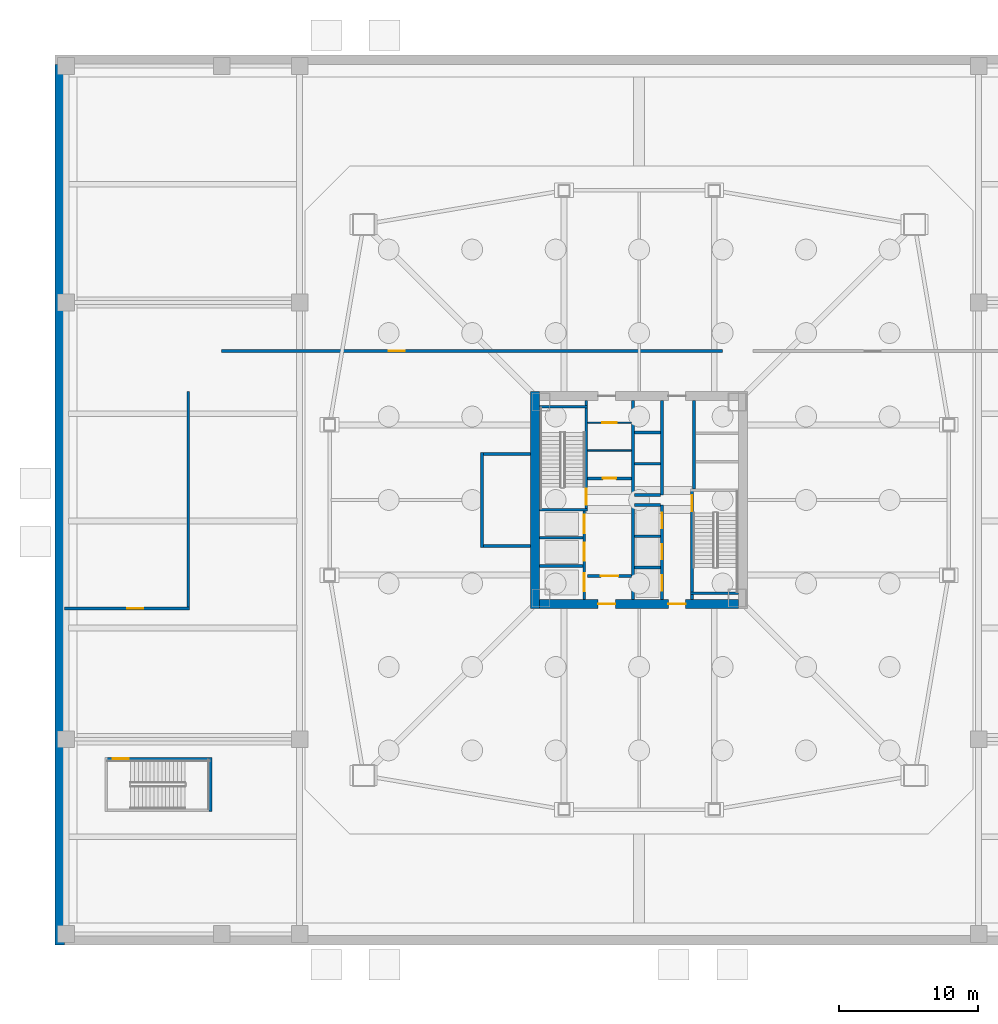
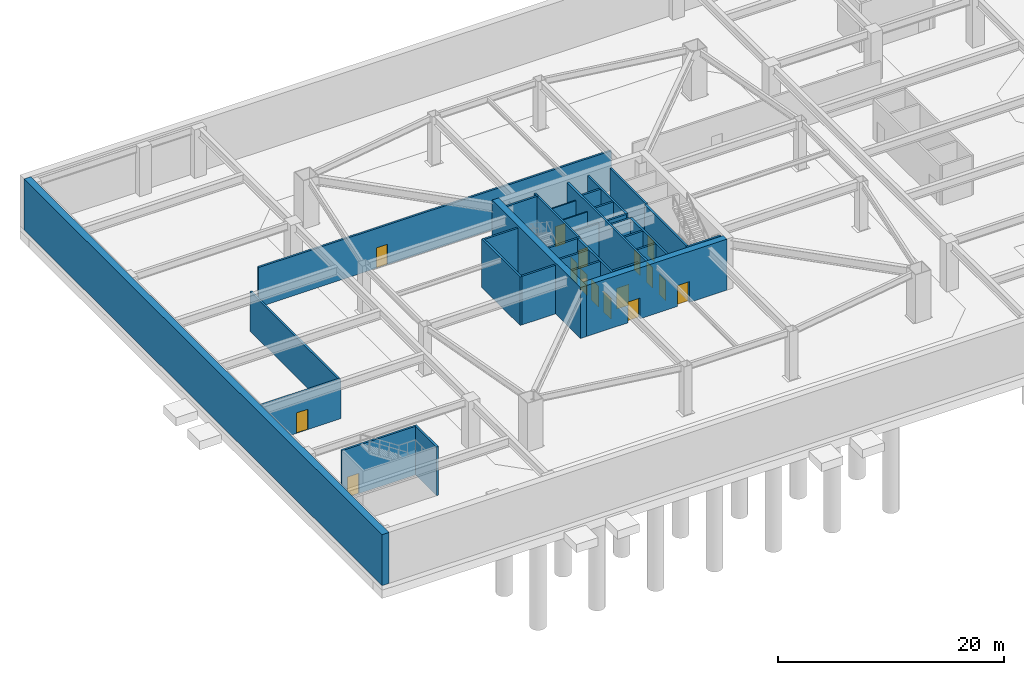
# One storey, part 8 of 19: 33 walls, 16 doors, 16 openings.
"""IFC4 building model written with IfcOpenShell, lengths in metres."""

from ifc_helpers import new_model, si_unit, direction, frame, frame_2d, origin, place, context, subcontext, project, spatial, rectangle, extrude, material, layer, layer_set, type_object, element, fill, save


model = new_model("IFC4")

# Units and contexts
model_context = context("Model", 3, precision=1e-05, world=origin(), true_north=direction((0.0, 1.0)))
body_context = subcontext(model_context, "Body", "Model", "MODEL_VIEW")
ifc_project = project(units=[si_unit("LENGTHUNIT", "METRE"), si_unit("AREAUNIT", "SQUARE_METRE"), si_unit("VOLUMEUNIT", "CUBIC_METRE"), si_unit("PLANEANGLEUNIT", "RADIAN"), si_unit("MASSUNIT", "GRAM", prefix="KILO")], contexts=[model_context])

# Site, building, storey
site_placement = place(None, origin())
site = spatial("IfcSite", under=ifc_project, at=site_placement, CompositionType="ELEMENT")
building_placement = place(site_placement, origin())
building = spatial("IfcBuilding", under=site, at=building_placement, Name="Tashvorn Skyway Center", CompositionType="ELEMENT")
storey_placement = place(building_placement, frame((0.0, 0.0, -11.0)))
storey = spatial("IfcBuildingStorey", under=building, at=storey_placement, Name="B2", CompositionType="ELEMENT", Elevation=-11.0)

# Wall
ifc_material_1 = material(Name="Concrete C60/75", Category="concrete")
ifc_layer_1 = layer(ifc_material_1, 0.64990234375)
ifc_layer_set_1 = layer_set([ifc_layer_1], Name="Concrete C60/75")
wall_type_1 = type_object("IfcWallType", Name="WALL-CORE-650", PredefinedType="SHEAR", material=ifc_layer_set_1)
wall_1_placement = place(storey_placement, frame((34.52490234375, 24.199951171875, 0.0), z_axis=(0.0, 0.0, 1.0), x_axis=(0.0, 1.0, 0.0)))
element("IfcWall", 1, at=wall_1_placement, inside=storey, type_object=wall_type_1, Name="Tower 1 B2 West Core Shear Wall", PredefinedType="SHEAR", context=body_context, shape_type="SweptSolid", body=[
    extrude(rectangle(XDim=15.60009765625, YDim=0.64990234375, at=frame_2d((7.800048828125, 0.0))), origin(), (0.0, 0.0, 1.0), 5.5),
])

# Wall, openings, doors
wall_2_placement = place(storey_placement, frame((49.14990234375, 24.52490234375, 0.0), z_axis=(0.0, 0.0, 1.0), x_axis=(-1.0, 0.0, 0.0)))
wall_2 = element("IfcWall", 2, at=wall_2_placement, inside=storey, type_object=wall_type_1, Name="Tower 1 B2 South Core Shear Wall", PredefinedType="SHEAR", context=body_context, shape_type="SweptSolid", body=[
    extrude(rectangle(XDim=14.2998046875, YDim=0.64990234375, at=frame_2d((7.14990234375, 0.0))), origin(), (0.0, 0.0, 1.0), 5.5),
])
opening_1_placement = place(wall_2_placement, frame((8.85009765625, 0.0, 0.0)))
opening_1 = element("IfcOpeningElement", 3, at=opening_1_placement, cuts=wall_2, Name="Opening D-FFL-1250", PredefinedType="OPENING", context=body_context, shape_type="SweptSolid", body=[
    extrude(rectangle(XDim=1.25, YDim=2.25, at=frame_2d((0.625, 1.125))), frame((0.0, 0.3349609375, 0.0), z_axis=(0.0, -1.0, 0.0), x_axis=(1.0, 0.0, 0.0)), (0.0, 0.0, 1.0), 0.669921875),
])
opening_2_placement = place(wall_2_placement, frame((3.800048828125, 0.0, 0.0)))
opening_2 = element("IfcOpeningElement", 4, at=opening_2_placement, cuts=wall_2, Name="Opening D-FFL-1250", PredefinedType="OPENING", context=body_context, shape_type="SweptSolid", body=[
    extrude(rectangle(XDim=1.25, YDim=2.25, at=frame_2d((0.625, 1.125))), frame((0.0, 0.3349609375, 0.0), z_axis=(0.0, -1.0, 0.0), x_axis=(1.0, 0.0, 0.0)), (0.0, 0.0, 1.0), 0.669921875),
])
ifc_material_2 = material(Name="Hollow galvanized steel fire door assembly", Category="steel")
door_type_1 = type_object("IfcDoorType", Name="DOOR-FFL-1250", OperationType="NOTDEFINED", PredefinedType="DOOR", material=ifc_material_2)
door_1_placement = place(opening_1_placement, origin())
door_1 = element("IfcDoor", 5, at=door_1_placement, inside=storey, type_object=door_type_1, Name="Tower 1 B2 Core South Firefighting Exit Door", OperationType="SINGLE_SWING_LEFT", OverallHeight=2.25, OverallWidth=1.25, PredefinedType="DOOR", context=body_context, shape_type="SweptSolid", body=[
    extrude(rectangle(XDim=1.25, YDim=2.25, at=frame_2d((0.625, 1.125))), frame((0.0, 0.02490234375, 0.0), z_axis=(0.0, -1.0, 0.0), x_axis=(1.0, 0.0, 0.0)), (0.0, 0.0, 1.0), 0.050048828125),
])
fill(opening_1, door_1)
door_2_placement = place(opening_2_placement, origin())
door_2 = element("IfcDoor", 6, at=door_2_placement, inside=storey, type_object=door_type_1, Name="Tower 1 B2 Core South Lift Lobby Door", OperationType="SINGLE_SWING_RIGHT", OverallHeight=2.25, OverallWidth=1.25, PredefinedType="DOOR", context=body_context, shape_type="SweptSolid", body=[
    extrude(rectangle(XDim=1.25, YDim=2.25, at=frame_2d((0.625, 1.125))), frame((0.0, 0.02490234375, 0.0), z_axis=(0.0, -1.0, 0.0), x_axis=(1.0, 0.0, 0.0)), (0.0, 0.0, 1.0), 0.050048828125),
])
fill(opening_2, door_2)

# Wall, opening, door
ifc_material_3 = material(Name="Concrete C40/50", Category="concrete")
ifc_layer_2 = layer(ifc_material_3, 0.219970703125)
ifc_layer_set_2 = layer_set([ifc_layer_2], Name="Concrete C40/50")
wall_type_2 = type_object("IfcWallType", Name="WALL-FFL-220", PredefinedType="SOLIDWALL", material=ifc_layer_set_2)
wall_3_placement = place(storey_placement, frame((38.300048828125, 33.56005859375, 0.0), z_axis=(0.0, 0.0, 1.0), x_axis=(1.0, 0.0, 0.0)))
wall_3 = element("IfcWall", 7, at=wall_3_placement, inside=storey, type_object=wall_type_2, Name="Tower 1 B2 Firefighting Lobby North Wall", PredefinedType="SOLIDWALL", context=body_context, shape_type="SweptSolid", body=[
    extrude(rectangle(XDim=3.14990234375, YDim=0.219970703125, at=frame_2d((1.574951171875, 0.0))), origin(), (0.0, 0.0, 1.0), 4.282958984375),
])
opening_3_placement = place(wall_3_placement, frame((1.10009765625, 0.0, 0.0)))
opening_3 = element("IfcOpeningElement", 8, at=opening_3_placement, cuts=wall_3, Name="Opening D-RT-950", PredefinedType="OPENING", context=body_context, shape_type="SweptSolid", body=[
    extrude(rectangle(XDim=0.949951171875, YDim=2.050048828125, at=frame_2d((0.47509765625, 1.02490234375))), frame((0.0, 0.119873046875, 0.0), z_axis=(0.0, -1.0, 0.0), x_axis=(1.0, 0.0, 0.0)), (0.0, 0.0, 1.0), 0.239990234375),
])
door_type_2 = type_object("IfcDoorType", Name="DOOR-RATED-950", OperationType="NOTDEFINED", PredefinedType="DOOR", material=ifc_material_2)
door_3_placement = place(opening_3_placement, origin())
door_3 = element("IfcDoor", 9, at=door_3_placement, inside=storey, type_object=door_type_2, Name="Tower 1 B2 Core Linen Store Door", OperationType="SINGLE_SWING_LEFT", OverallHeight=2.050048828125, OverallWidth=0.949951171875, PredefinedType="DOOR", context=body_context, shape_type="SweptSolid", body=[
    extrude(rectangle(XDim=0.949951171875, YDim=2.050048828125, at=frame_2d((0.47509765625, 1.02490234375))), frame((0.0, 0.02490234375, 0.0), z_axis=(0.0, -1.0, 0.0), x_axis=(1.0, 0.0, 0.0)), (0.0, 0.0, 1.0), 0.050048828125),
])
fill(opening_3, door_3)

wall_4_placement = place(storey_placement, frame((38.300048828125, 26.5400390625, 0.0), z_axis=(0.0, 0.0, 1.0), x_axis=(1.0, 0.0, 0.0)))
wall_4 = element("IfcWall", 10, at=wall_4_placement, inside=storey, type_object=wall_type_2, Name="Tower 1 B2 Firefighting Lobby South Wall", PredefinedType="SOLIDWALL", context=body_context, shape_type="SweptSolid", body=[
    extrude(rectangle(XDim=3.14990234375, YDim=0.219970703125, at=frame_2d((1.574951171875, 0.0))), origin(), (0.0, 0.0, 1.0), 4.282958984375),
])
opening_4_placement = place(wall_4_placement, frame((0.949951171875, 0.0, 0.0)))
opening_4 = element("IfcOpeningElement", 11, at=opening_4_placement, cuts=wall_4, Name="Opening D-FFL-1250", PredefinedType="OPENING", context=body_context, shape_type="SweptSolid", body=[
    extrude(rectangle(XDim=1.25, YDim=2.25, at=frame_2d((0.625, 1.125))), frame((0.0, 0.119873046875, 0.0), z_axis=(0.0, -1.0, 0.0), x_axis=(1.0, 0.0, 0.0)), (0.0, 0.0, 1.0), 0.239990234375),
])
door_4_placement = place(opening_4_placement, origin())
door_4 = element("IfcDoor", 12, at=door_4_placement, inside=storey, type_object=door_type_1, Name="Tower 1 B2 Firefighting Lobby Egress Door", OperationType="SINGLE_SWING_LEFT", OverallHeight=2.25, OverallWidth=1.25, PredefinedType="DOOR", context=body_context, shape_type="SweptSolid", body=[
    extrude(rectangle(XDim=1.25, YDim=2.25, at=frame_2d((0.625, 1.125))), frame((0.0, 0.02490234375, 0.0), z_axis=(0.0, -1.0, 0.0), x_axis=(1.0, 0.0, 0.0)), (0.0, 0.0, 1.0), 0.050048828125),
])
fill(opening_4, door_4)

# Wall
ifc_material_4 = material(Name="Gypsum board on cold-formed steel stud framing", Category="steel")
ifc_layer_3 = layer(ifc_material_4, 0.110107421875)
ifc_layer_set_3 = layer_set([ifc_layer_3], Name="Gypsum board on cold-formed steel stud framing")
wall_type_3 = type_object("IfcWallType", Name="WALL-RATED-110", PredefinedType="PARTITIONING", material=ifc_layer_set_3)
wall_5_placement = place(storey_placement, frame((38.300048828125, 35.550048828125, 0.0), z_axis=(0.0, 0.0, 1.0), x_axis=(1.0, 0.0, 0.0)))
element("IfcWall", 13, at=wall_5_placement, inside=storey, type_object=wall_type_3, Name="Tower 1 B2 Core Transverse Wall", PredefinedType="PARTITIONING", context=body_context, shape_type="SweptSolid", body=[
    extrude(rectangle(XDim=3.14990234375, YDim=0.110107421875, at=frame_2d((1.574951171875, 0.0))), origin(), (0.0, 0.0, 1.0), 4.282958984375),
])

# Wall, opening, door
ifc_layer_4 = layer(ifc_material_4, 0.135009765625)
ifc_layer_set_4 = layer_set([ifc_layer_4], Name="Gypsum board on cold-formed steel stud framing")
wall_type_4 = type_object("IfcWallType", Name="WALL-RATED-135", PredefinedType="PARTITIONING", material=ifc_layer_set_4)
wall_6_placement = place(storey_placement, frame((38.300048828125, 37.550048828125, 0.0), z_axis=(0.0, 0.0, 1.0), x_axis=(1.0, 0.0, 0.0)))
wall_6 = element("IfcWall", 14, at=wall_6_placement, inside=storey, type_object=wall_type_4, Name="Tower 1 B2 Core Service Lobby Wall", PredefinedType="PARTITIONING", context=body_context, shape_type="SweptSolid", body=[
    extrude(rectangle(XDim=3.14990234375, YDim=0.135009765625, at=frame_2d((1.574951171875, 0.0))), origin(), (0.0, 0.0, 1.0), 4.282958984375),
])
opening_5_placement = place(wall_6_placement, frame((1.050048828125, 0.0, 0.0)))
opening_5 = element("IfcOpeningElement", 15, at=opening_5_placement, cuts=wall_6, Name="Opening D-RT-1050", PredefinedType="OPENING", context=body_context, shape_type="SweptSolid", body=[
    extrude(rectangle(XDim=1.050048828125, YDim=2.199951171875, at=frame_2d((0.52490234375, 1.10009765625))), frame((0.0, 0.077392578125, 0.0), z_axis=(0.0, -1.0, 0.0), x_axis=(1.0, 0.0, 0.0)), (0.0, 0.0, 1.0), 0.155029296875),
])
door_type_3 = type_object("IfcDoorType", Name="DOOR-RATED-1050", OperationType="NOTDEFINED", PredefinedType="DOOR", material=ifc_material_2)
door_5_placement = place(opening_5_placement, origin())
door_5 = element("IfcDoor", 16, at=door_5_placement, inside=storey, type_object=door_type_3, Name="Tower 1 B2 Core Accessible WC Door", OperationType="SINGLE_SWING_RIGHT", OverallHeight=2.199951171875, OverallWidth=1.050048828125, PredefinedType="DOOR", context=body_context, shape_type="SweptSolid", body=[
    extrude(rectangle(XDim=1.050048828125, YDim=2.199951171875, at=frame_2d((0.52490234375, 1.10009765625))), frame((0.0, 0.02490234375, 0.0), z_axis=(0.0, -1.0, 0.0), x_axis=(1.0, 0.0, 0.0)), (0.0, 0.0, 1.0), 0.050048828125),
])
fill(opening_5, door_5)

# Walls
ifc_layer_5 = layer(ifc_material_1, 0.699951171875)
ifc_layer_set_5 = layer_set([ifc_layer_5], Name="Concrete C60/75")
wall_type_5 = type_object("IfcWallType", Name="WALL-RET-700", PredefinedType="SOLIDWALL", material=ifc_layer_set_5)
wall_7_placement = place(storey_placement, frame((0.35009765625, 0.0, 0.0), z_axis=(0.0, 0.0, 1.0), x_axis=(0.0, 1.0, 0.0)))
element("IfcWall", 17, at=wall_7_placement, inside=storey, type_object=wall_type_5, Name="B2 Basement Retaining Wall W", PredefinedType="SOLIDWALL", context=body_context, shape_type="SweptSolid", body=[
    extrude(rectangle(XDim=63.300048828125, YDim=0.699951171875, at=frame_2d((31.64990234375, 0.0))), origin(), (0.0, 0.0, 1.0), 5.5),
])
ifc_layer_6 = layer(ifc_material_3, 0.199951171875)
ifc_layer_set_6 = layer_set([ifc_layer_6], Name="Concrete C40/50")
wall_type_6 = type_object("IfcWallType", Name="WALL-SHAFT-200", PredefinedType="SOLIDWALL", material=ifc_layer_set_6)
for number, where, z_axis, x_axis, name in (
    (18, (34.85009765625, 27.25, 0.0), (0.0, 0.0, 1.0), (1.0, 0.0, 0.0), "Tower 1 B2 FSAE Shaft Divider"),
    (19, (34.85009765625, 29.280029296875, 0.0), (0.0, 0.0, 1.0), (1.0, 0.0, 0.0), "Tower 1 B2 FSAE Shaft Divider"),
):
    element("IfcWall", number, at=place(storey_placement, frame(where, z_axis=z_axis, x_axis=x_axis)), inside=storey, type_object=wall_type_6, Name=name, PredefinedType="SOLIDWALL", context=body_context, shape_type="SweptSolid", body=[
        extrude(rectangle(XDim=3.099853515625, YDim=0.199951171875, at=frame_2d((1.5498046875, 0.0))), origin(), (0.0, 0.0, 1.0), 5.239990234375),
    ])

# Wall, openings, doors
wall_8_placement = place(storey_placement, frame((43.64990234375, 24.85009765625, 0.0), z_axis=(0.0, 0.0, 1.0), x_axis=(0.0, 1.0, 0.0)))
wall_8 = element("IfcWall", 20, at=wall_8_placement, inside=storey, type_object=wall_type_6, Name="Tower 1 B2 Low-Rise Core Wall", PredefinedType="SOLIDWALL", context=body_context, shape_type="SweptSolid", body=[
    extrude(rectangle(XDim=6.7998046875, YDim=0.199951171875, at=frame_2d((3.39990234375, 0.0))), origin(), (0.0, 0.0, 1.0), 5.239990234375),
])
opening_6_placement = place(wall_8_placement, frame((0.625, 0.0, 0.0)))
opening_6 = element("IfcOpeningElement", 21, at=opening_6_placement, cuts=wall_8, Name="Opening LD-LR-T1-1-B2", PredefinedType="OPENING", context=body_context, shape_type="SweptSolid", body=[
    extrude(rectangle(XDim=1.10009765625, YDim=2.199951171875, at=frame_2d((0.550048828125, 1.10009765625))), frame((0.0, 0.10986328125, 0.0), z_axis=(0.0, -1.0, 0.0), x_axis=(1.0, 0.0, 0.0)), (0.0, 0.0, 1.0), 0.219970703125),
])
opening_7_placement = place(wall_8_placement, frame((2.875, 0.0, 0.0)))
opening_7 = element("IfcOpeningElement", 22, at=opening_7_placement, cuts=wall_8, Name="Opening LD-LR-T1-2-B2", PredefinedType="OPENING", context=body_context, shape_type="SweptSolid", body=[
    extrude(rectangle(XDim=1.10009765625, YDim=2.199951171875, at=frame_2d((0.550048828125, 1.10009765625))), frame((0.0, 0.10986328125, 0.0), z_axis=(0.0, -1.0, 0.0), x_axis=(1.0, 0.0, 0.0)), (0.0, 0.0, 1.0), 0.219970703125),
])
opening_8_placement = place(wall_8_placement, frame((5.125, 0.0, 0.0)))
opening_8 = element("IfcOpeningElement", 23, at=opening_8_placement, cuts=wall_8, Name="Opening LD-LR-T1-3-B2", PredefinedType="OPENING", context=body_context, shape_type="SweptSolid", body=[
    extrude(rectangle(XDim=1.10009765625, YDim=2.199951171875, at=frame_2d((0.550048828125, 1.10009765625))), frame((0.0, 0.10986328125, 0.0), z_axis=(0.0, -1.0, 0.0), x_axis=(1.0, 0.0, 0.0)), (0.0, 0.0, 1.0), 0.219970703125),
])
ifc_material_5 = material(Name="Stainless steel landing door", Category="steel")
door_type_4 = type_object("IfcDoorType", Name="DOOR-LIFT-1100", OperationType="SLIDING_TO_LEFT", PredefinedType="DOOR", material=ifc_material_5)
door_6_placement = place(opening_6_placement, origin())
door_6 = element("IfcDoor", 24, at=door_6_placement, inside=storey, type_object=door_type_4, Name="Lift LR-T1-1 B2 Landing Door", OperationType="SLIDING_TO_LEFT", OverallHeight=2.199951171875, OverallWidth=1.10009765625, PredefinedType="DOOR", context=body_context, shape_type="SweptSolid", body=[
    extrude(rectangle(XDim=1.10009765625, YDim=2.199951171875, at=frame_2d((0.550048828125, 1.10009765625))), frame((0.0, 0.02490234375, 0.0), z_axis=(0.0, -1.0, 0.0), x_axis=(1.0, 0.0, 0.0)), (0.0, 0.0, 1.0), 0.050048828125),
])
fill(opening_6, door_6)
door_7_placement = place(opening_7_placement, origin())
door_7 = element("IfcDoor", 25, at=door_7_placement, inside=storey, type_object=door_type_4, Name="Lift LR-T1-2 B2 Landing Door", OperationType="SLIDING_TO_LEFT", OverallHeight=2.199951171875, OverallWidth=1.10009765625, PredefinedType="DOOR", context=body_context, shape_type="SweptSolid", body=[
    extrude(rectangle(XDim=1.10009765625, YDim=2.199951171875, at=frame_2d((0.550048828125, 1.10009765625))), frame((0.0, 0.02490234375, 0.0), z_axis=(0.0, -1.0, 0.0), x_axis=(1.0, 0.0, 0.0)), (0.0, 0.0, 1.0), 0.050048828125),
])
fill(opening_7, door_7)
door_8_placement = place(opening_8_placement, origin())
door_8 = element("IfcDoor", 26, at=door_8_placement, inside=storey, type_object=door_type_4, Name="Lift LR-T1-3 B2 Landing Door", OperationType="SLIDING_TO_LEFT", OverallHeight=2.199951171875, OverallWidth=1.10009765625, PredefinedType="DOOR", context=body_context, shape_type="SweptSolid", body=[
    extrude(rectangle(XDim=1.10009765625, YDim=2.199951171875, at=frame_2d((0.550048828125, 1.10009765625))), frame((0.0, 0.02490234375, 0.0), z_axis=(0.0, -1.0, 0.0), x_axis=(1.0, 0.0, 0.0)), (0.0, 0.0, 1.0), 0.050048828125),
])
fill(opening_8, door_8)

# Walls
for number, where, z_axis, x_axis, name in (
    (27, (41.669921875, 27.14990234375, 0.0), (0.0, 0.0, 1.0), (1.0, 0.0, 0.0), "Tower 1 B2 Low-Rise Shaft Divider"),
    (28, (41.669921875, 29.39990234375, 0.0), (0.0, 0.0, 1.0), (1.0, 0.0, 0.0), "Tower 1 B2 Low-Rise Shaft Divider"),
    (29, (41.669921875, 31.64990234375, 0.0), (0.0, 0.0, 1.0), (1.0, 0.0, 0.0), "Tower 1 B2 Low-Rise Shaft Divider"),
):
    element("IfcWall", number, at=place(storey_placement, frame(where, z_axis=z_axis, x_axis=x_axis)), inside=storey, type_object=wall_type_6, Name=name, PredefinedType="SOLIDWALL", context=body_context, shape_type="SweptSolid", body=[
        extrude(rectangle(XDim=1.880126953125, YDim=0.199951171875, at=frame_2d((0.93994140625, 0.0))), origin(), (0.0, 0.0, 1.0), 5.239990234375),
    ])
wall_9_placement = place(storey_placement, frame((43.64990234375, 32.35009765625, 0.0), z_axis=(0.0, 0.0, 1.0), x_axis=(0.0, 1.0, 0.0)))
element("IfcWall", 30, at=wall_9_placement, inside=storey, type_object=wall_type_6, Name="Tower 1 B2 Mid-Rise Core Wall", PredefinedType="SOLIDWALL", context=body_context, shape_type="SweptSolid", body=[
    extrude(rectangle(XDim=6.7998046875, YDim=0.199951171875, at=frame_2d((3.39990234375, 0.0))), origin(), (0.0, 0.0, 1.0), 5.239990234375),
])
for number, where, z_axis, x_axis, name in (
    (31, (41.669921875, 32.35009765625, 0.0), (0.0, 0.0, 1.0), (1.0, 0.0, 0.0), "Tower 1 B2 Mid-Rise Shaft Divider"),
    (32, (41.669921875, 34.60009765625, 0.0), (0.0, 0.0, 1.0), (1.0, 0.0, 0.0), "Tower 1 B2 Mid-Rise Shaft Divider"),
    (33, (41.669921875, 36.85009765625, 0.0), (0.0, 0.0, 1.0), (1.0, 0.0, 0.0), "Tower 1 B2 Mid-Rise Shaft Divider"),
):
    element("IfcWall", number, at=place(storey_placement, frame(where, z_axis=z_axis, x_axis=x_axis)), inside=storey, type_object=wall_type_6, Name=name, PredefinedType="SOLIDWALL", context=body_context, shape_type="SweptSolid", body=[
        extrude(rectangle(XDim=1.880126953125, YDim=0.199951171875, at=frame_2d((0.93994140625, 0.0))), origin(), (0.0, 0.0, 1.0), 5.239990234375),
    ])

# Wall, opening, door
wall_10_placement = place(storey_placement, frame((0.699951171875, 24.199951171875, 0.0), z_axis=(0.0, 0.0, 1.0), x_axis=(1.0, 0.0, 0.0)))
wall_10 = element("IfcWall", 34, at=wall_10_placement, inside=storey, type_object=wall_type_6, Name="B2 Fan Plant South Wall", PredefinedType="SOLIDWALL", context=body_context, shape_type="SweptSolid", body=[
    extrude(rectangle(XDim=9.0, YDim=0.199951171875, at=frame_2d((4.5, 0.0))), origin(), (0.0, 0.0, 1.0), 4.282958984375),
])
opening_9_placement = place(wall_10_placement, frame((4.5, 0.0, 0.0)))
opening_9 = element("IfcOpeningElement", 35, at=opening_9_placement, cuts=wall_10, Name="Opening D-ST-1150", PredefinedType="OPENING", context=body_context, shape_type="SweptSolid", body=[
    extrude(rectangle(XDim=1.14990234375, YDim=2.199951171875, at=frame_2d((0.574951171875, 1.10009765625))), frame((0.0, 0.10986328125, 0.0), z_axis=(0.0, -1.0, 0.0), x_axis=(1.0, 0.0, 0.0)), (0.0, 0.0, 1.0), 0.219970703125),
])
door_type_5 = type_object("IfcDoorType", Name="DOOR-STAIR-1150", OperationType="NOTDEFINED", PredefinedType="DOOR", material=ifc_material_2)
door_9_placement = place(opening_9_placement, origin())
door_9 = element("IfcDoor", 36, at=door_9_placement, inside=storey, type_object=door_type_5, Name="B2 Fan Plant Door", OperationType="SINGLE_SWING_LEFT", OverallHeight=2.199951171875, OverallWidth=1.14990234375, PredefinedType="DOOR", context=body_context, shape_type="SweptSolid", body=[
    extrude(rectangle(XDim=1.14990234375, YDim=2.199951171875, at=frame_2d((0.574951171875, 1.10009765625))), frame((0.0, 0.02490234375, 0.0), z_axis=(0.0, -1.0, 0.0), x_axis=(1.0, 0.0, 0.0)), (0.0, 0.0, 1.0), 0.050048828125),
])
fill(opening_9, door_9)

# Wall
wall_11_placement = place(storey_placement, frame((9.60009765625, 24.300048828125, 0.0), z_axis=(0.0, 0.0, 1.0), x_axis=(0.0, 1.0, 0.0)))
element("IfcWall", 37, at=wall_11_placement, inside=storey, type_object=wall_type_6, Name="B2 Fan Plant East Wall", PredefinedType="SOLIDWALL", context=body_context, shape_type="SweptSolid", body=[
    extrude(rectangle(XDim=15.5, YDim=0.199951171875, at=frame_2d((7.75, 0.0))), origin(), (0.0, 0.0, 1.0), 4.282958984375),
])

# Wall, opening, door
wall_12_placement = place(storey_placement, frame((12.0, 42.699951171875, 0.0), z_axis=(0.0, 0.0, 1.0), x_axis=(1.0, 0.0, 0.0)))
wall_12 = element("IfcWall", 38, at=wall_12_placement, inside=storey, type_object=wall_type_6, Name="B2 Substation Wall", PredefinedType="SOLIDWALL", context=body_context, shape_type="SweptSolid", body=[
    extrude(rectangle(XDim=36.0, YDim=0.199951171875, at=frame_2d((18.0, 0.0))), origin(), (0.0, 0.0, 1.0), 4.282958984375),
])
opening_10_placement = place(wall_12_placement, frame((12.0, 0.0, 0.0)))
opening_10 = element("IfcOpeningElement", 39, at=opening_10_placement, cuts=wall_12, Name="Opening D-ST-1150", PredefinedType="OPENING", context=body_context, shape_type="SweptSolid", body=[
    extrude(rectangle(XDim=1.14990234375, YDim=2.199951171875, at=frame_2d((0.574951171875, 1.10009765625))), frame((0.0, 0.10986328125, 0.0), z_axis=(0.0, -1.0, 0.0), x_axis=(1.0, 0.0, 0.0)), (0.0, 0.0, 1.0), 0.219970703125),
])
door_10_placement = place(opening_10_placement, origin())
door_10 = element("IfcDoor", 40, at=door_10_placement, inside=storey, type_object=door_type_5, Name="B2 Substation Door", OperationType="SINGLE_SWING_RIGHT", OverallHeight=2.199951171875, OverallWidth=1.14990234375, PredefinedType="DOOR", context=body_context, shape_type="SweptSolid", body=[
    extrude(rectangle(XDim=1.14990234375, YDim=2.199951171875, at=frame_2d((0.574951171875, 1.10009765625))), frame((0.0, 0.02490234375, 0.0), z_axis=(0.0, -1.0, 0.0), x_axis=(1.0, 0.0, 0.0)), (0.0, 0.0, 1.0), 0.050048828125),
])
fill(opening_10, door_10)

ifc_layer_7 = layer(ifc_material_3, 0.199951171875)
ifc_layer_set_7 = layer_set([ifc_layer_7], Name="Concrete C40/50")
wall_type_7 = type_object("IfcWallType", Name="WALL-STSHF-200", PredefinedType="SHEAR", material=ifc_layer_set_7)
wall_13_placement = place(storey_placement, frame((38.199951171875, 31.199951171875, 0.0), z_axis=(0.0, 0.0, 1.0), x_axis=(0.0, 1.0, 0.0)))
wall_13 = element("IfcWall", 41, at=wall_13_placement, inside=storey, type_object=wall_type_7, Name="Tower 1 B2 Stair 1 Enclosure Wall", PredefinedType="SHEAR", context=body_context, shape_type="SweptSolid", body=[
    extrude(rectangle(XDim=7.949951171875, YDim=0.199951171875, at=frame_2d((3.97509765625, 0.0))), origin(), (0.0, 0.0, 1.0), 5.239990234375),
])
opening_11_placement = place(wall_13_placement, frame((0.449951171875, 0.0, 0.0)))
opening_11 = element("IfcOpeningElement", 42, at=opening_11_placement, cuts=wall_13, Name="Opening D-ST-1150", PredefinedType="OPENING", context=body_context, shape_type="SweptSolid", body=[
    extrude(rectangle(XDim=1.14990234375, YDim=2.199951171875, at=frame_2d((0.574951171875, 1.10009765625))), frame((0.0, 0.10986328125, 0.0), z_axis=(0.0, -1.0, 0.0), x_axis=(1.0, 0.0, 0.0)), (0.0, 0.0, 1.0), 0.219970703125),
])
door_11_placement = place(opening_11_placement, origin())
door_11 = element("IfcDoor", 43, at=door_11_placement, inside=storey, type_object=door_type_5, Name="Tower 1 B2 Exit Stair 1 Door", OperationType="SINGLE_SWING_RIGHT", OverallHeight=2.199951171875, OverallWidth=1.14990234375, PredefinedType="DOOR", context=body_context, shape_type="SweptSolid", body=[
    extrude(rectangle(XDim=1.14990234375, YDim=2.199951171875, at=frame_2d((0.574951171875, 1.10009765625))), frame((0.0, 0.02490234375, 0.0), z_axis=(0.0, -1.0, 0.0), x_axis=(1.0, 0.0, 0.0)), (0.0, 0.0, 1.0), 0.050048828125),
])
fill(opening_11, door_11)

# Walls
for number, where, z_axis, x_axis, name in (
    (44, (34.85009765625, 31.300048828125, 0.0), (0.0, 0.0, 1.0), (1.0, 0.0, 0.0), "Tower 1 B2 Stair 1 South Wall"),
    (45, (34.85009765625, 38.699951171875, 0.0), (0.0, 0.0, 1.0), (1.0, 0.0, 0.0), "Tower 1 B2 Stair 1 North Wall"),
):
    element("IfcWall", number, at=place(storey_placement, frame(where, z_axis=z_axis, x_axis=x_axis)), inside=storey, type_object=wall_type_7, Name=name, PredefinedType="SHEAR", context=body_context, shape_type="SweptSolid", body=[
        extrude(rectangle(XDim=3.449951171875, YDim=0.199951171875, at=frame_2d((1.72509765625, 0.0))), origin(), (0.0, 0.0, 1.0), 5.239990234375),
    ])

# Wall, opening, door
wall_14_placement = place(storey_placement, frame((45.800048828125, 32.800048828125, 0.0), z_axis=(0.0, 0.0, 1.0), x_axis=(0.0, -1.0, 0.0)))
wall_14 = element("IfcWall", 46, at=wall_14_placement, inside=storey, type_object=wall_type_7, Name="Tower 1 B2 Stair 2 Enclosure Wall", PredefinedType="SHEAR", context=body_context, shape_type="SweptSolid", body=[
    extrude(rectangle(XDim=7.949951171875, YDim=0.199951171875, at=frame_2d((3.97509765625, 0.0))), origin(), (0.0, 0.0, 1.0), 5.239990234375),
])
opening_12_placement = place(wall_14_placement, frame((0.449951171875, 0.0, 0.0)))
opening_12 = element("IfcOpeningElement", 47, at=opening_12_placement, cuts=wall_14, Name="Opening D-ST-1150", PredefinedType="OPENING", context=body_context, shape_type="SweptSolid", body=[
    extrude(rectangle(XDim=1.14990234375, YDim=2.199951171875, at=frame_2d((0.574951171875, 1.10009765625))), frame((0.0, 0.10986328125, 0.0), z_axis=(0.0, -1.0, 0.0), x_axis=(1.0, 0.0, 0.0)), (0.0, 0.0, 1.0), 0.219970703125),
])
door_12_placement = place(opening_12_placement, origin())
door_12 = element("IfcDoor", 48, at=door_12_placement, inside=storey, type_object=door_type_5, Name="Tower 1 B2 Exit Stair 2 Door", OperationType="SINGLE_SWING_RIGHT", OverallHeight=2.199951171875, OverallWidth=1.14990234375, PredefinedType="DOOR", context=body_context, shape_type="SweptSolid", body=[
    extrude(rectangle(XDim=1.14990234375, YDim=2.199951171875, at=frame_2d((0.574951171875, 1.10009765625))), frame((0.0, 0.02490234375, 0.0), z_axis=(0.0, -1.0, 0.0), x_axis=(1.0, 0.0, 0.0)), (0.0, 0.0, 1.0), 0.050048828125),
])
fill(opening_12, door_12)

# Walls
wall_15_placement = place(storey_placement, frame((45.699951171875, 25.300048828125, 0.0), z_axis=(0.0, 0.0, 1.0), x_axis=(1.0, 0.0, 0.0)))
element("IfcWall", 49, at=wall_15_placement, inside=storey, type_object=wall_type_7, Name="Tower 1 B2 Stair 2 South Wall", PredefinedType="SHEAR", context=body_context, shape_type="SweptSolid", body=[
    extrude(rectangle(XDim=3.449951171875, YDim=0.199951171875, at=frame_2d((1.72509765625, 0.0))), origin(), (0.0, 0.0, 1.0), 5.239990234375),
])
wall_16_placement = place(storey_placement, frame((41.56005859375, 24.85009765625, 0.0), z_axis=(0.0, 0.0, 1.0), x_axis=(0.0, 1.0, 0.0)))
element("IfcWall", 50, at=wall_16_placement, inside=storey, type_object=wall_type_7, Name="Tower 1 B2 Firefighting Lobby East Smoke Barrier", PredefinedType="SHEAR", context=body_context, shape_type="SweptSolid", body=[
    extrude(rectangle(XDim=14.2998046875, YDim=0.199951171875, at=frame_2d((7.14990234375, 0.0))), origin(), (0.0, 0.0, 1.0), 5.239990234375),
])

# Wall, openings, doors
wall_17_placement = place(storey_placement, frame((38.050048828125, 24.85009765625, 0.0), z_axis=(0.0, 0.0, 1.0), x_axis=(0.0, 1.0, 0.0)))
wall_17 = element("IfcWall", 51, at=wall_17_placement, inside=storey, type_object=wall_type_7, Name="Tower 1 B2 FSAE and Goods Shaft Front Wall", PredefinedType="SHEAR", context=body_context, shape_type="SweptSolid", body=[
    extrude(rectangle(XDim=6.349853515625, YDim=0.199951171875, at=frame_2d((3.1748046875, 0.0))), origin(), (0.0, 0.0, 1.0), 5.239990234375),
])
opening_13_placement = place(wall_17_placement, frame((4.77490234375, 0.0, 0.0)))
opening_13 = element("IfcOpeningElement", 52, at=opening_13_placement, cuts=wall_17, Name="Opening LD-FF-T1-1-B2", PredefinedType="OPENING", context=body_context, shape_type="SweptSolid", body=[
    extrude(rectangle(XDim=1.300048828125, YDim=2.25, at=frame_2d((0.64990234375, 1.125))), frame((0.0, 0.10986328125, 0.0), z_axis=(0.0, -1.0, 0.0), x_axis=(1.0, 0.0, 0.0)), (0.0, 0.0, 1.0), 0.219970703125),
])
opening_14_placement = place(wall_17_placement, frame((2.77490234375, 0.0, 0.0)))
opening_14 = element("IfcOpeningElement", 53, at=opening_14_placement, cuts=wall_17, Name="Opening LD-FF-T1-2-B2", PredefinedType="OPENING", context=body_context, shape_type="SweptSolid", body=[
    extrude(rectangle(XDim=1.300048828125, YDim=2.25, at=frame_2d((0.64990234375, 1.125))), frame((0.0, 0.10986328125, 0.0), z_axis=(0.0, -1.0, 0.0), x_axis=(1.0, 0.0, 0.0)), (0.0, 0.0, 1.0), 0.219970703125),
])
opening_15_placement = place(wall_17_placement, frame((0.574951171875, 0.0, 0.0)))
opening_15 = element("IfcOpeningElement", 54, at=opening_15_placement, cuts=wall_17, Name="Opening LD-GD-T1-1-B2", PredefinedType="OPENING", context=body_context, shape_type="SweptSolid", body=[
    extrude(rectangle(XDim=1.300048828125, YDim=2.25, at=frame_2d((0.64990234375, 1.125))), frame((0.0, 0.10986328125, 0.0), z_axis=(0.0, -1.0, 0.0), x_axis=(1.0, 0.0, 0.0)), (0.0, 0.0, 1.0), 0.219970703125),
])
ifc_material_6 = material(Name="Stainless steel heavy-duty landing door", Category="steel")
door_type_6 = type_object("IfcDoorType", Name="DOOR-LIFT-1300", OperationType="SLIDING_TO_LEFT", PredefinedType="DOOR", material=ifc_material_6)
door_13_placement = place(opening_13_placement, origin())
door_13 = element("IfcDoor", 55, at=door_13_placement, inside=storey, type_object=door_type_6, Name="Lift FF-T1-1 B2 Landing Door", OperationType="SLIDING_TO_LEFT", OverallHeight=2.25, OverallWidth=1.300048828125, PredefinedType="DOOR", context=body_context, shape_type="SweptSolid", body=[
    extrude(rectangle(XDim=1.300048828125, YDim=2.25, at=frame_2d((0.64990234375, 1.125))), frame((0.0, 0.02490234375, 0.0), z_axis=(0.0, -1.0, 0.0), x_axis=(1.0, 0.0, 0.0)), (0.0, 0.0, 1.0), 0.050048828125),
])
fill(opening_13, door_13)
door_14_placement = place(opening_14_placement, origin())
door_14 = element("IfcDoor", 56, at=door_14_placement, inside=storey, type_object=door_type_6, Name="Lift FF-T1-2 B2 Landing Door", OperationType="SLIDING_TO_LEFT", OverallHeight=2.25, OverallWidth=1.300048828125, PredefinedType="DOOR", context=body_context, shape_type="SweptSolid", body=[
    extrude(rectangle(XDim=1.300048828125, YDim=2.25, at=frame_2d((0.64990234375, 1.125))), frame((0.0, 0.02490234375, 0.0), z_axis=(0.0, -1.0, 0.0), x_axis=(1.0, 0.0, 0.0)), (0.0, 0.0, 1.0), 0.050048828125),
])
fill(opening_14, door_14)
door_15_placement = place(opening_15_placement, origin())
door_15 = element("IfcDoor", 57, at=door_15_placement, inside=storey, type_object=door_type_6, Name="Lift GD-T1-1 B2 Landing Door", OperationType="SLIDING_TO_LEFT", OverallHeight=2.25, OverallWidth=1.300048828125, PredefinedType="DOOR", context=body_context, shape_type="SweptSolid", body=[
    extrude(rectangle(XDim=1.300048828125, YDim=2.25, at=frame_2d((0.64990234375, 1.125))), frame((0.0, 0.02490234375, 0.0), z_axis=(0.0, -1.0, 0.0), x_axis=(1.0, 0.0, 0.0)), (0.0, 0.0, 1.0), 0.050048828125),
])
fill(opening_15, door_15)

# Walls
wall_18_placement = place(storey_placement, frame((45.949951171875, 39.14990234375, 0.0), z_axis=(0.0, 0.0, 1.0), x_axis=(0.0, -1.0, 0.0)))
element("IfcWall", 58, at=wall_18_placement, inside=storey, type_object=wall_type_7, Name="Tower 1 B2 High-Rise Lift Shaft Front Wall", PredefinedType="SHEAR", context=body_context, shape_type="SweptSolid", body=[
    extrude(rectangle(XDim=6.349853515625, YDim=0.199951171875, at=frame_2d((3.1748046875, 0.0))), origin(), (0.0, 0.0, 1.0), 5.239990234375),
])
wall_19_placement = place(storey_placement, frame((30.699951171875, 28.60009765625, 0.0), z_axis=(0.0, 0.0, 1.0), x_axis=(0.0, 1.0, 0.0)))
element("IfcWall", 59, at=wall_19_placement, inside=storey, type_object=wall_type_7, Name="Tower 1 B2 Stair 3 Support Outer Wall", PredefinedType="SHEAR", context=body_context, shape_type="SweptSolid", body=[
    extrude(rectangle(XDim=6.7998046875, YDim=0.199951171875, at=frame_2d((3.39990234375, 0.0))), origin(), (0.0, 0.0, 1.0), 5.239990234375),
])
for number, where, z_axis, x_axis, name in (
    (60, (30.800048828125, 35.300048828125, 0.0), (0.0, 0.0, 1.0), (1.0, 0.0, 0.0), "Tower 1 B2 Stair 3 Support Enclosure Wall"),
    (61, (30.800048828125, 28.699951171875, 0.0), (0.0, 0.0, 1.0), (1.0, 0.0, 0.0), "Tower 1 B2 Stair 3 Support South Wall"),
):
    element("IfcWall", number, at=place(storey_placement, frame(where, z_axis=z_axis, x_axis=x_axis)), inside=storey, type_object=wall_type_7, Name=name, PredefinedType="SHEAR", context=body_context, shape_type="SweptSolid", body=[
        extrude(rectangle(XDim=3.39990234375, YDim=0.199951171875, at=frame_2d((1.699951171875, 0.0))), origin(), (0.0, 0.0, 1.0), 5.239990234375),
    ])

# Wall, opening, door
wall_20_placement = place(storey_placement, frame((11.300048828125, 13.39990234375, 0.0), z_axis=(0.0, 0.0, 1.0), x_axis=(-1.0, 0.0, 0.0)))
wall_20 = element("IfcWall", 62, at=wall_20_placement, inside=storey, type_object=wall_type_7, Name="B2 Podium Stair 1 North Wall", PredefinedType="SHEAR", context=body_context, shape_type="SweptSolid", body=[
    extrude(rectangle(XDim=7.699951171875, YDim=0.199951171875, at=frame_2d((3.85009765625, 0.0))), origin(), (0.0, 0.0, 1.0), 5.239990234375),
])
opening_16_placement = place(wall_20_placement, frame((6.0, 0.0, 0.0)))
opening_16 = element("IfcOpeningElement", 63, at=opening_16_placement, cuts=wall_20, Name="Opening D-ST-1150", PredefinedType="OPENING", context=body_context, shape_type="SweptSolid", body=[
    extrude(rectangle(XDim=1.14990234375, YDim=2.199951171875, at=frame_2d((0.574951171875, 1.10009765625))), frame((0.0, 0.10986328125, 0.0), z_axis=(0.0, -1.0, 0.0), x_axis=(1.0, 0.0, 0.0)), (0.0, 0.0, 1.0), 0.219970703125),
])
door_16_placement = place(opening_16_placement, origin())
door_16 = element("IfcDoor", 64, at=door_16_placement, inside=storey, type_object=door_type_5, Name="B2 Podium Stair 1 Door", OperationType="SINGLE_SWING_LEFT", OverallHeight=2.199951171875, OverallWidth=1.14990234375, PredefinedType="DOOR", context=body_context, shape_type="SweptSolid", body=[
    extrude(rectangle(XDim=1.14990234375, YDim=2.199951171875, at=frame_2d((0.574951171875, 1.10009765625))), frame((0.0, 0.02490234375, 0.0), z_axis=(0.0, -1.0, 0.0), x_axis=(1.0, 0.0, 0.0)), (0.0, 0.0, 1.0), 0.050048828125),
])
fill(opening_16, door_16)

# Wall
wall_21_placement = place(storey_placement, frame((11.199951171875, 9.60009765625, 0.0), z_axis=(0.0, 0.0, 1.0), x_axis=(0.0, 1.0, 0.0)))
element("IfcWall", 65, at=wall_21_placement, inside=storey, type_object=wall_type_7, Name="B2 Podium Stair 1 East Wall", PredefinedType="SHEAR", context=body_context, shape_type="SweptSolid", body=[
    extrude(rectangle(XDim=3.89990234375, YDim=0.199951171875, at=frame_2d((1.949951171875, 0.0))), origin(), (0.0, 0.0, 1.0), 5.239990234375),
])

save(model, "model.ifc")
